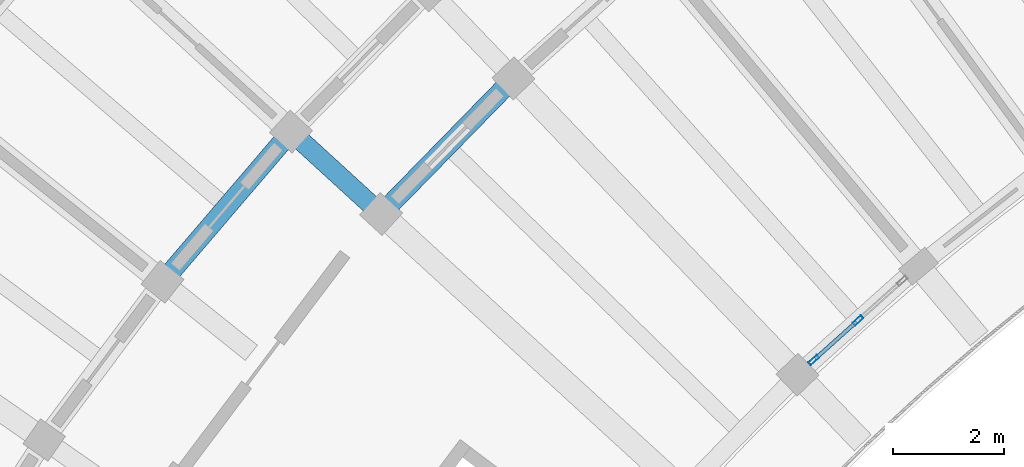
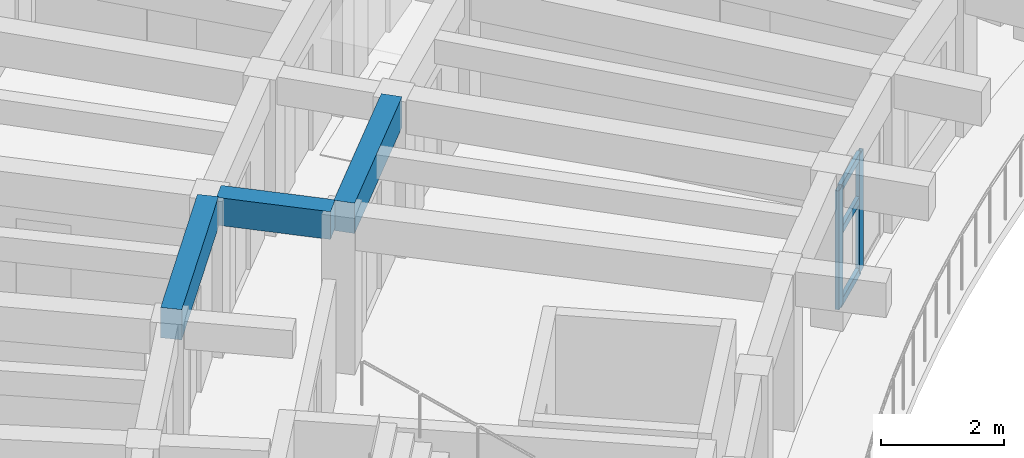
# One storey, part 11 of 81: 5 members, 3 beams, 1 element without a shape of its own.
"""IFC4 building model written with IfcOpenShell, lengths in metres."""

from ifc_helpers import new_model, si_unit, direction, frame, origin, origin_2d, place, context, subcontext, project, spatial, rectangle, hollow_rectangle, extrude, material, material_profile, profile_set, type_object, element, aggregate, save


model = new_model("IFC4")

# Units and contexts
model_context = context("Model", 3, precision=1e-05, world=origin(), true_north=direction((0.0, 1.0)))
body_context = subcontext(model_context, "Body", "Model", "MODEL_VIEW")
ifc_project = project(units=[si_unit("LENGTHUNIT", "METRE"), si_unit("AREAUNIT", "SQUARE_METRE"), si_unit("VOLUMEUNIT", "CUBIC_METRE"), si_unit("PLANEANGLEUNIT", "RADIAN"), si_unit("MASSUNIT", "GRAM", prefix="KILO")], contexts=[model_context])

# Site, building, storey
site_placement = place(None, origin())
site = spatial("IfcSite", under=ifc_project, at=site_placement, CompositionType="ELEMENT")
building_placement = place(site_placement, origin())
building = spatial("IfcBuilding", under=site, at=building_placement, Name="Tanwirah Colonnade Gardens", CompositionType="ELEMENT")
storey_placement = place(building_placement, frame((0.0, 0.0, 8.840087890625)))
storey = spatial("IfcBuildingStorey", under=building, at=storey_placement, Name="L02", CompositionType="ELEMENT", Elevation=8.840087890625)

# Beams
ifc_material_1 = material(Name="Precast concrete C40/50", Category="concrete")
ifc_material_profile_1 = material_profile(ifc_material_1, rectangle(XDim=0.35009765625, YDim=0.550048828125, at=origin_2d()), Name="PC-BM 350x550")
ifc_profile_set_1 = profile_set([ifc_material_profile_1], Name="Precast concrete C40/50")
beam_type_1 = type_object("IfcBeamType", Name="BM-PC350A", PredefinedType="BEAM", material=ifc_profile_set_1)
beam_1_placement = place(storey_placement, frame((26.62744140625, 95.29345703125, 2.829833984375), z_axis=(-0.737948361517, 0.674857181732, 0.0), x_axis=(-0.674857181732, -0.737948361517, 0.0)))
element("IfcBeam", 1, at=beam_1_placement, inside=storey, type_object=beam_type_1, Name="Block A L02 Corridor Tie Beam 11", PredefinedType="BEAM", context=body_context, shape_type="SweptSolid", body=[
    extrude(rectangle(XDim=0.35009765625, YDim=0.550048828125, at=origin_2d()), origin(), (0.0, 0.0, 1.0), 1.89990234375),
])
ifc_material_profile_2 = material_profile(ifc_material_1, rectangle(XDim=0.35009765625, YDim=0.60009765625, at=origin_2d()), Name="PC-BM 350x600")
ifc_profile_set_2 = profile_set([ifc_material_profile_2], Name="Precast concrete C40/50")
beam_type_2 = type_object("IfcBeamType", Name="BM-PC350B", PredefinedType="BEAM", material=ifc_profile_set_2)
beam_2_placement = place(storey_placement, frame((29.02197265625, 97.52978515625, 2.804931640625), z_axis=(-0.698837366631, -0.715280598787, 0.0), x_axis=(0.715280598787, -0.698837366631, 0.0)))
element("IfcBeam", 2, at=beam_2_placement, inside=storey, type_object=beam_type_2, Name="Block A L02 Circumferential Beam 10-R1", PredefinedType="BEAM", context=body_context, shape_type="SweptSolid", body=[
    extrude(rectangle(XDim=0.35009765625, YDim=0.60009765625, at=origin_2d()), origin(), (0.0, 0.0, 1.0), 3.117919921875),
])
beam_3_placement = place(storey_placement, frame((25.017333984375, 96.56298828125, 2.804931640625), z_axis=(-0.650218192342, -0.759747525398, 0.0), x_axis=(0.759747525398, -0.650218192342, 0.0)))
element("IfcBeam", 3, at=beam_3_placement, inside=storey, type_object=beam_type_2, Name="Block A L02 Circumferential Beam 11-R2", PredefinedType="BEAM", context=body_context, shape_type="SweptSolid", body=[
    extrude(rectangle(XDim=0.35009765625, YDim=0.60009765625, at=origin_2d()), origin(), (0.0, 0.0, 1.0), 3.26318359375),
])

# Curtain wall, members
ifc_material_2 = material(Name="Bronze-anodised aluminium and solar-control low-E glass", Category="aluminium")
curtain_wall_type = type_object("IfcCurtainWallType", Name="CW-GDN", PredefinedType="NOTDEFINED", material=ifc_material_2)
curtain_wall_placement = place(storey_placement, origin())
curtain_wall = element("IfcCurtainWall", 4, at=curtain_wall_placement, inside=storey, type_object=curtain_wall_type, Name="Curtain Wall CW-A-L02-IN-09", PredefinedType="NOTDEFINED")
ifc_material_3 = material(Name="Bronze-anodised aluminium", Category="aluminium")
ifc_material_profile_3 = material_profile(ifc_material_3, hollow_rectangle(XDim=0.070068359375, YDim=0.199951171875, WallThickness=0.00390625, at=origin_2d()), Name="CW-MUL 70x200x4")
ifc_profile_set_3 = profile_set([ifc_material_profile_3], Name="Bronze-anodised aluminium")
member_type_1 = type_object("IfcMemberType", Name="CWM-70x200", PredefinedType="MULLION", material=ifc_profile_set_3)
member_1_placement = place(storey_placement, frame((35.33740234375, 93.2724609375, 0.0), z_axis=(0.0, 0.0, 1.0), x_axis=(0.667689182798, -0.744440162253, 0.0)))
member_1 = element("IfcMember", 5, at=member_1_placement, type_object=member_type_1, Name="CW-GDN mullion 2", PredefinedType="MULLION", context=body_context, shape_type="SweptSolid", body=[
    extrude(hollow_rectangle(XDim=0.070068359375, YDim=0.199951171875, WallThickness=0.00390625, at=origin_2d()), origin(), (0.0, 0.0, 1.0), 2.35498046875),
])
member_2_placement = place(storey_placement, frame((34.540771484375, 92.557861328125, 0.0), z_axis=(0.0, 0.0, 1.0), x_axis=(0.667689182798, -0.744440162253, 0.0)))
member_2 = element("IfcMember", 6, at=member_2_placement, type_object=member_type_1, Name="CW-GDN mullion 3", PredefinedType="MULLION", context=body_context, shape_type="SweptSolid", body=[
    extrude(hollow_rectangle(XDim=0.070068359375, YDim=0.199951171875, WallThickness=0.00390625, at=origin_2d()), origin(), (0.0, 0.0, 1.0), 2.35498046875),
])
ifc_material_profile_4 = material_profile(ifc_material_3, hollow_rectangle(XDim=0.070068359375, YDim=0.14990234375, WallThickness=0.00390625, at=origin_2d()), Name="CW-TRN 70x150x4")
ifc_profile_set_4 = profile_set([ifc_material_profile_4], Name="Bronze-anodised aluminium")
member_type_2 = type_object("IfcMemberType", Name="CWT-70x150", PredefinedType="USERDEFINED", material=ifc_profile_set_4)
member_3_placement = place(storey_placement, frame((35.311279296875, 93.2490234375, 0.034912109375), z_axis=(-0.744397854763, -0.667736350534, 0.0), x_axis=(0.667736350534, -0.744397854763, 0.0)))
member_3 = element("IfcMember", 7, at=member_3_placement, type_object=member_type_2, Name="CW-GDN transom 2.1", ObjectType="TRANSOM", PredefinedType="USERDEFINED", context=body_context, shape_type="SweptSolid", body=[
    extrude(hollow_rectangle(XDim=0.070068359375, YDim=0.14990234375, WallThickness=0.00390625, at=origin_2d()), origin(), (0.0, 0.0, 1.0), 1.0),
])
member_4_placement = place(storey_placement, frame((35.311279296875, 93.2490234375, 1.4599609375), z_axis=(-0.744397854763, -0.667736350534, 0.0), x_axis=(0.667736350534, -0.744397854763, 0.0)))
member_4 = element("IfcMember", 8, at=member_4_placement, type_object=member_type_2, Name="CW-GDN transom 2.2", ObjectType="TRANSOM", PredefinedType="USERDEFINED", context=body_context, shape_type="SweptSolid", body=[
    extrude(hollow_rectangle(XDim=0.070068359375, YDim=0.14990234375, WallThickness=0.00390625, at=origin_2d()), origin(), (0.0, 0.0, 1.0), 1.0),
])
member_5_placement = place(storey_placement, frame((35.311279296875, 93.2490234375, 2.31982421875), z_axis=(-0.744397854763, -0.667736350534, 0.0), x_axis=(0.667736350534, -0.744397854763, 0.0)))
member_5 = element("IfcMember", 9, at=member_5_placement, type_object=member_type_2, Name="CW-GDN transom 2.3", ObjectType="TRANSOM", PredefinedType="USERDEFINED", context=body_context, shape_type="SweptSolid", body=[
    extrude(hollow_rectangle(XDim=0.070068359375, YDim=0.14990234375, WallThickness=0.00390625, at=origin_2d()), origin(), (0.0, 0.0, 1.0), 1.0),
])
aggregate(curtain_wall, [member_1, member_2, member_3, member_4, member_5])

save(model, "model.ifc")
